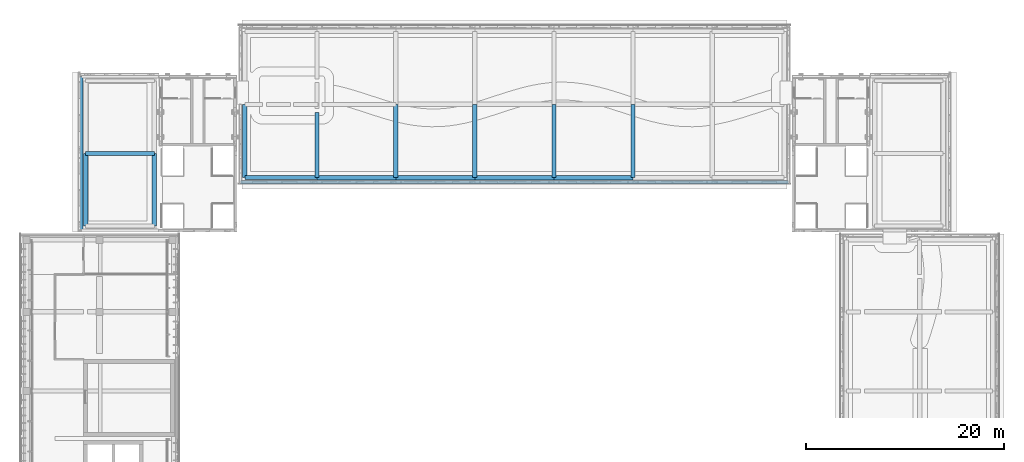
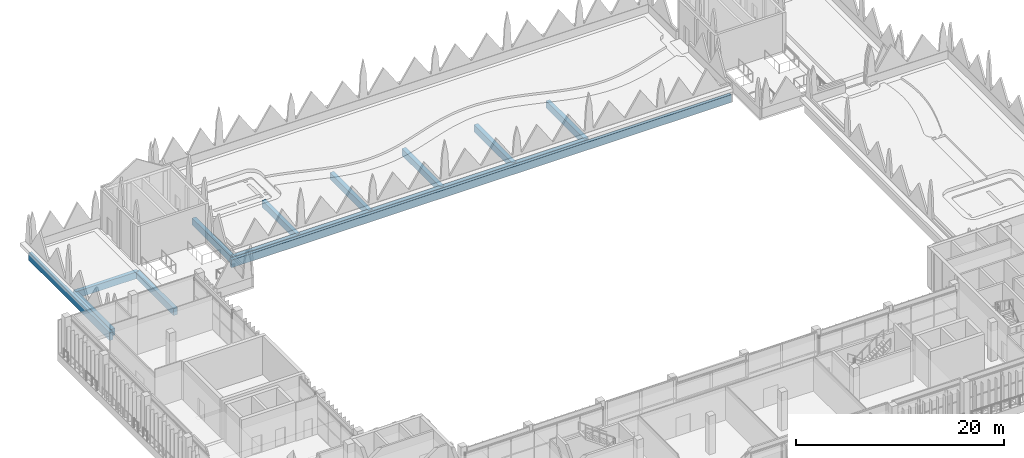
# One storey, part 16 of 46: 16 beams.
"""IFC4 building model written with IfcOpenShell, lengths in metres."""

from ifc_helpers import new_model, si_unit, direction, frame, origin, origin_2d, place, context, subcontext, project, spatial, rectangle, extrude, material, material_profile, profile_set, type_object, element, save


model = new_model("IFC4")

# Units and contexts
model_context = context("Model", 3, precision=1e-05, world=origin(), true_north=direction((0.0, 1.0)))
body_context = subcontext(model_context, "Body", "Model", "MODEL_VIEW")
ifc_project = project(units=[si_unit("LENGTHUNIT", "METRE"), si_unit("AREAUNIT", "SQUARE_METRE"), si_unit("VOLUMEUNIT", "CUBIC_METRE"), si_unit("PLANEANGLEUNIT", "RADIAN"), si_unit("MASSUNIT", "GRAM", prefix="KILO")], contexts=[model_context])

# Site, building, storey
site_placement = place(None, origin())
site = spatial("IfcSite", under=ifc_project, at=site_placement, CompositionType="ELEMENT")
building_placement = place(site_placement, origin())
building = spatial("IfcBuilding", under=site, at=building_placement, Name="Lantern Court Media Centre", CompositionType="ELEMENT")
storey_placement = place(building_placement, frame((0.0, 0.0, 28.800048828125)))
storey = spatial("IfcBuildingStorey", under=building, at=storey_placement, Name="L06", CompositionType="ELEMENT", Elevation=28.800048828125)

# Beams
ifc_material = material(Name="Concrete C35", Category="concrete")
ifc_material_profile_1 = material_profile(ifc_material, rectangle(XDim=0.35009765625, YDim=0.89990234375, at=origin_2d()), Name="RC 350x900")
ifc_profile_set_1 = profile_set([ifc_material_profile_1], Name="Concrete C35")
beam_type_1 = type_object("IfcBeamType", Name="RC BEAM 350x900", PredefinedType="BEAM", material=ifc_profile_set_1)
beam_1_placement = place(storey_placement, frame((8.14990234375, 96.25, -0.449951171875), z_axis=(0.0, 1.0, 0.0), x_axis=(-1.0, 0.0, 0.0)))
element("IfcBeam", 1, at=beam_1_placement, inside=storey, type_object=beam_type_1, Name="EB-NW-L06-W", PredefinedType="BEAM", context=body_context, shape_type="SweptSolid", body=[
    extrude(rectangle(XDim=0.35009765625, YDim=0.89990234375, at=origin_2d()), origin(), (0.0, 0.0, 1.0), 15.60009765625),
])
beam_2_placement = place(storey_placement, frame((24.25, 101.14990234375, -0.449951171875), z_axis=(1.0, 0.0, 0.0), x_axis=(0.0, 1.0, 0.0)))
element("IfcBeam", 2, at=beam_2_placement, inside=storey, type_object=beam_type_1, Name="EB-N-L06-A", PredefinedType="BEAM", context=body_context, shape_type="SweptSolid", body=[
    extrude(rectangle(XDim=0.35009765625, YDim=0.89990234375, at=origin_2d()), origin(), (0.0, 0.0, 1.0), 55.5),
])
ifc_material_profile_2 = material_profile(ifc_material, rectangle(XDim=0.39990234375, YDim=0.699951171875, at=origin_2d()), Name="RC 400x700")
ifc_profile_set_2 = profile_set([ifc_material_profile_2], Name="Concrete C35")
beam_type_2 = type_object("IfcBeamType", Name="RC BEAM 400x700", PredefinedType="BEAM", material=ifc_profile_set_2)
beam_3_placement = place(storey_placement, frame((24.699951171875, 101.60009765625, -0.35009765625), z_axis=(1.0, 0.0, 0.0), x_axis=(0.0, 1.0, 0.0)))
element("IfcBeam", 3, at=beam_3_placement, inside=storey, type_object=beam_type_2, Name="LB-N-L06-0-0", PredefinedType="BEAM", context=body_context, shape_type="SweptSolid", body=[
    extrude(rectangle(XDim=0.39990234375, YDim=0.699951171875, at=origin_2d()), origin(), (0.0, 0.0, 1.0), 7.300048828125),
])
ifc_material_profile_3 = material_profile(ifc_material, rectangle(XDim=0.39990234375, YDim=0.800048828125, at=origin_2d()), Name="RC 400x800")
ifc_profile_set_3 = profile_set([ifc_material_profile_3], Name="Concrete C35")
beam_type_3 = type_object("IfcBeamType", Name="RC BEAM 400x800", PredefinedType="BEAM", material=ifc_profile_set_3)
beam_4_placement = place(storey_placement, frame((8.60009765625, 104.050048828125, -0.400146484375), z_axis=(1.0, 0.0, 0.0), x_axis=(0.0, 1.0, 0.0)))
element("IfcBeam", 4, at=beam_4_placement, inside=storey, type_object=beam_type_3, Name="BB-NW-L06-Y0-104", PredefinedType="BEAM", context=body_context, shape_type="SweptSolid", body=[
    extrude(rectangle(XDim=0.39990234375, YDim=0.800048828125, at=origin_2d()), origin(), (0.0, 0.0, 1.0), 6.949951171875),
])
beam_5_placement = place(storey_placement, frame((32.0, 101.60009765625, -0.400146484375), z_axis=(0.0, 1.0, 0.0), x_axis=(-1.0, 0.0, 0.0)))
element("IfcBeam", 5, at=beam_5_placement, inside=storey, type_object=beam_type_3, Name="TB-N-L06-1-1", PredefinedType="BEAM", context=body_context, shape_type="SweptSolid", body=[
    extrude(rectangle(XDim=0.39990234375, YDim=0.800048828125, at=origin_2d()), origin(), (0.0, 0.0, 1.0), 6.599853515625),
])
ifc_material_profile_4 = material_profile(ifc_material, rectangle(XDim=0.449951171875, YDim=0.699951171875, at=origin_2d()), Name="RC 450x700")
ifc_profile_set_4 = profile_set([ifc_material_profile_4], Name="Concrete C35")
beam_type_4 = type_object("IfcBeamType", Name="RC BEAM 450x700", PredefinedType="BEAM", material=ifc_profile_set_4)
for number, where, z_axis, x_axis, name in (
    (6, (32.0, 101.60009765625, -0.35009765625), (1.0, 0.0, 0.0), (0.0, 1.0, 0.0), "LB-N-L06-0-1"),
    (7, (40.0, 101.60009765625, -0.35009765625), (1.0, 0.0, 0.0), (0.0, 1.0, 0.0), "LB-N-L06-0-2"),
    (8, (48.0, 101.60009765625, -0.35009765625), (1.0, 0.0, 0.0), (0.0, 1.0, 0.0), "LB-N-L06-0-3"),
    (9, (56.0, 101.60009765625, -0.35009765625), (1.0, 0.0, 0.0), (0.0, 1.0, 0.0), "LB-N-L06-0-4"),
):
    element("IfcBeam", number, at=place(storey_placement, frame(where, z_axis=z_axis, x_axis=x_axis)), inside=storey, type_object=beam_type_4, Name=name, PredefinedType="BEAM", context=body_context, shape_type="SweptSolid", body=[
        extrude(rectangle(XDim=0.449951171875, YDim=0.699951171875, at=origin_2d()), origin(), (0.0, 0.0, 1.0), 8.0),
    ])
ifc_material_profile_5 = material_profile(ifc_material, rectangle(XDim=0.449951171875, YDim=0.800048828125, at=origin_2d()), Name="RC 450x800")
ifc_profile_set_5 = profile_set([ifc_material_profile_5], Name="Concrete C35")
beam_type_5 = type_object("IfcBeamType", Name="RC BEAM 450x800", PredefinedType="BEAM", material=ifc_profile_set_5)
for number, where, z_axis, x_axis, name in (
    (10, (8.60009765625, 96.699951171875, -0.400146484375), (0.0, 1.0, 0.0), (-1.0, 0.0, 0.0), "BB-NW-L06-X0-8"),
    (11, (15.550048828125, 96.699951171875, -0.400146484375), (0.0, 1.0, 0.0), (-1.0, 0.0, 0.0), "BB-NW-L06-X0-15"),
):
    element("IfcBeam", number, at=place(storey_placement, frame(where, z_axis=z_axis, x_axis=x_axis)), inside=storey, type_object=beam_type_5, Name=name, PredefinedType="BEAM", context=body_context, shape_type="SweptSolid", body=[
        extrude(rectangle(XDim=0.449951171875, YDim=0.800048828125, at=origin_2d()), origin(), (0.0, 0.0, 1.0), 7.35009765625),
    ])
for number, where, z_axis, x_axis, name in (
    (12, (24.699951171875, 101.60009765625, -0.400146484375), (0.0, 1.0, 0.0), (-1.0, 0.0, 0.0), "TB-N-L06-0-1"),
    (13, (40.0, 101.60009765625, -0.400146484375), (0.0, 1.0, 0.0), (-1.0, 0.0, 0.0), "TB-N-L06-2-1"),
    (14, (48.0, 101.60009765625, -0.400146484375), (0.0, 1.0, 0.0), (-1.0, 0.0, 0.0), "TB-N-L06-3-1"),
    (15, (56.0, 101.60009765625, -0.400146484375), (0.0, 1.0, 0.0), (-1.0, 0.0, 0.0), "TB-N-L06-4-1"),
    (16, (64.0, 101.60009765625, -0.400146484375), (0.0, 1.0, 0.0), (-1.0, 0.0, 0.0), "TB-N-L06-5-1"),
):
    element("IfcBeam", number, at=place(storey_placement, frame(where, z_axis=z_axis, x_axis=x_axis)), inside=storey, type_object=beam_type_5, Name=name, PredefinedType="BEAM", context=body_context, shape_type="SweptSolid", body=[
        extrude(rectangle(XDim=0.449951171875, YDim=0.800048828125, at=origin_2d()), origin(), (0.0, 0.0, 1.0), 7.39990234375),
    ])

save(model, "model.ifc")
